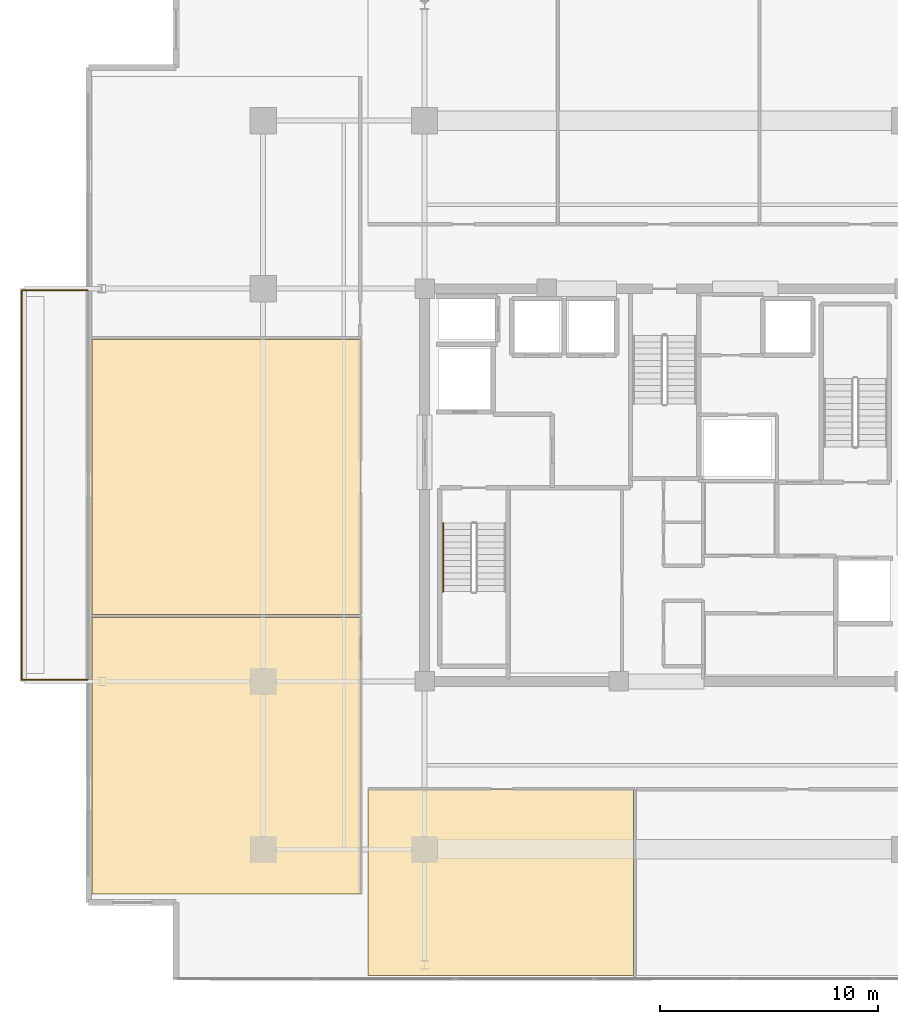
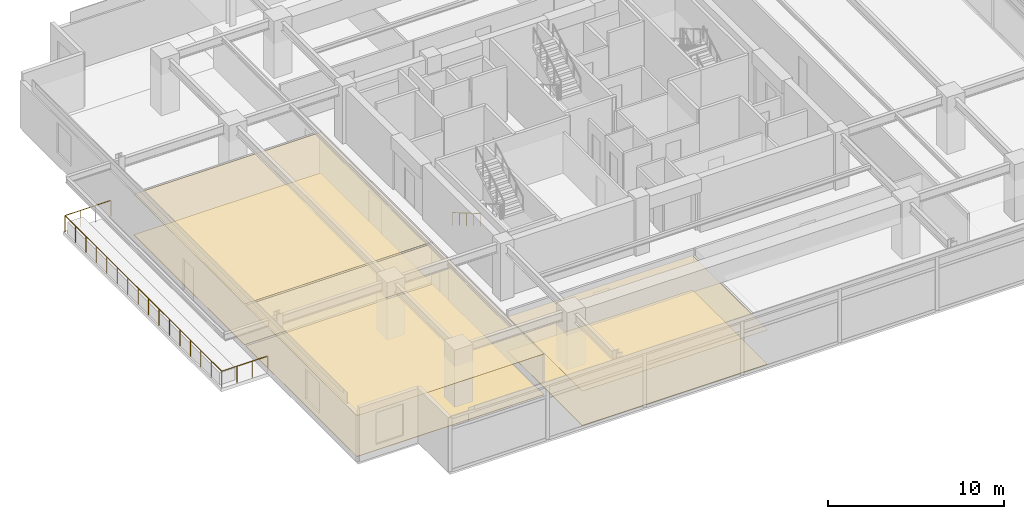
# One storey, part 16 of 18: 6 coverings, 2 railings.
"""IFC4 building model written with IfcOpenShell, lengths in metres."""

from ifc_helpers import new_model, si_unit, direction, frame, origin, origin_2d, place, context, subcontext, project, spatial, polyline, circle, outline, extrude, material, layer, layer_set, type_object, element, save


model = new_model("IFC4")

# Units and contexts
model_context = context("Model", 3, precision=1e-05, world=origin(), true_north=direction((0.0, 1.0)))
body_context = subcontext(model_context, "Body", "Model", "MODEL_VIEW")
ifc_project = project(units=[si_unit("LENGTHUNIT", "METRE"), si_unit("AREAUNIT", "SQUARE_METRE"), si_unit("VOLUMEUNIT", "CUBIC_METRE"), si_unit("PLANEANGLEUNIT", "RADIAN"), si_unit("MASSUNIT", "GRAM", prefix="KILO")], contexts=[model_context])

# Site, building, storey
site_placement = place(None, origin())
site = spatial("IfcSite", under=ifc_project, at=site_placement, CompositionType="ELEMENT")
building_placement = place(site_placement, origin())
building = spatial("IfcBuilding", under=site, at=building_placement, Name="Kovane Verandah Tower", CompositionType="ELEMENT")
storey_placement = place(building_placement, frame((0.0, 0.0, 251.199951171875)))
storey = spatial("IfcBuildingStorey", under=building, at=storey_placement, Name="L58", CompositionType="ELEMENT", Elevation=251.199951171875)

# Coverings
ifc_material_1 = material(Name="Perforated Acoustic Mineral-Fibre Ceiling Tile", Category="gypsum")
ifc_layer_1 = layer(ifc_material_1, 0.02490234375)
ifc_layer_set_1 = layer_set([ifc_layer_1], Name="Perforated Acoustic Mineral-Fibre Ceiling Tile")
covering_type_1 = type_object("IfcCoveringType", Name="CV-CEIL-25", PredefinedType="CEILING", material=ifc_layer_set_1)
covering_1_placement = place(storey_placement, frame((0.0, 0.0, 2.39013671875)))
element("IfcCovering", 1, at=covering_1_placement, inside=storey, type_object=covering_type_1, Name="L58 Document and Print Room S1 Acoustic Ceiling", PredefinedType="CEILING", context=body_context, shape_type="SweptSolid", body=[
    extrude(outline(polyline([(26.39990234375, 5.012451171875), (38.570068359375, 5.012451171875), (38.570068359375, 13.550048828125), (26.39990234375, 13.550048828125), (26.39990234375, 5.012451171875)])), origin(), (0.0, 0.0, 1.0), 0.02490234375),
])
covering_2_placement = place(storey_placement, frame((0.0, 0.0, 2.824951171875)))
element("IfcCovering", 2, at=covering_2_placement, inside=storey, type_object=covering_type_1, Name="L58 Executive Office W1 Acoustic Ceiling", PredefinedType="CEILING", context=body_context, shape_type="SweptSolid", body=[
    extrude(outline(polyline([(13.753662109375, 8.762451171875), (26.050048828125, 8.762451171875), (26.050048828125, 21.43408203125), (13.753662109375, 21.43408203125), (13.753662109375, 8.762451171875)])), origin(), (0.0, 0.0, 1.0), 0.025146484375),
])
covering_3_placement = place(storey_placement, frame((0.0, 0.0, 2.824951171875)))
element("IfcCovering", 3, at=covering_3_placement, inside=storey, type_object=covering_type_1, Name="L58 Client Boardroom W2 Acoustic Ceiling", PredefinedType="CEILING", context=body_context, shape_type="SweptSolid", body=[
    extrude(outline(polyline([(13.753662109375, 21.573974609375), (26.050048828125, 21.573974609375), (26.050048828125, 34.175537109375), (13.753662109375, 34.175537109375), (13.753662109375, 21.573974609375)])), origin(), (0.0, 0.0, 1.0), 0.025146484375),
])
ifc_material_2 = material(Name="Polished Terrazzo and Raised-Access Carpet Tile Finish", Category="concrete")
ifc_layer_2 = layer(ifc_material_2, 0.030029296875)
ifc_layer_set_2 = layer_set([ifc_layer_2], Name="Polished Terrazzo and Raised-Access Carpet Tile Finish")
covering_type_2 = type_object("IfcCoveringType", Name="CV-FLOR-30", PredefinedType="FLOORING", material=ifc_layer_set_2)
covering_4_placement = place(storey_placement, origin())
element("IfcCovering", 4, at=covering_4_placement, inside=storey, type_object=covering_type_2, Name="L58 Document and Print Room S1 Floor Finish", PredefinedType="FLOORING", context=body_context, shape_type="SweptSolid", body=[
    extrude(outline(polyline([(26.39990234375, 5.012451171875), (38.570068359375, 5.012451171875), (38.570068359375, 13.550048828125), (26.39990234375, 13.550048828125), (26.39990234375, 5.012451171875)])), origin(), (0.0, 0.0, 1.0), 0.030029296875),
])
covering_5_placement = place(storey_placement, origin())
element("IfcCovering", 5, at=covering_5_placement, inside=storey, type_object=covering_type_2, Name="L58 Executive Office W1 Floor Finish", PredefinedType="FLOORING", context=body_context, shape_type="SweptSolid", body=[
    extrude(outline(polyline([(13.753662109375, 8.762451171875), (26.050048828125, 8.762451171875), (26.050048828125, 21.43408203125), (13.753662109375, 21.43408203125), (13.753662109375, 8.762451171875)])), origin(), (0.0, 0.0, 1.0), 0.030029296875),
])
covering_6_placement = place(storey_placement, origin())
element("IfcCovering", 6, at=covering_6_placement, inside=storey, type_object=covering_type_2, Name="L58 Client Boardroom W2 Floor Finish", PredefinedType="FLOORING", context=body_context, shape_type="SweptSolid", body=[
    extrude(outline(polyline([(13.753662109375, 21.573974609375), (26.050048828125, 21.573974609375), (26.050048828125, 34.175537109375), (13.753662109375, 34.175537109375), (13.753662109375, 21.573974609375)])), origin(), (0.0, 0.0, 1.0), 0.030029296875),
])

# Railings
ifc_material_3 = material(Name="Laminated Glass and Pale-Champagne Stainless Balustrade", Category="glass")
railing_type_1 = type_object("IfcRailingType", Name="RL-BAL-1150", PredefinedType="BALUSTRADE", material=ifc_material_3)
railing_1_placement = place(storey_placement, frame((13.5537109375, 18.580078125, 0.0)))
element("IfcRailing", 7, at=railing_1_placement, inside=storey, type_object=railing_type_1, Name="L58 W Verandah Glass Balustrade", PredefinedType="BALUSTRADE", context=body_context, shape_type="SweptSolid", body=[
    extrude(circle(Radius=0.02392578125, at=origin_2d()), frame((0.0, 0.0, 1.1259765625), z_axis=(-1.0, 0.0, 0.0), x_axis=(0.0, -1.0, 0.0)), (0.0, 0.0, 1.0), 3.02001953125),
    extrude(circle(Radius=0.02392578125, at=origin_2d()), frame((-3.02001953125, 0.0, 1.1259765625), z_axis=(0.0, 1.0, 0.0), x_axis=(-1.0, 0.0, 0.0)), (0.0, 0.0, 1.0), 17.83984375),
    extrude(circle(Radius=0.02392578125, at=origin_2d()), frame((-3.02001953125, 17.83984375, 1.1259765625), z_axis=(1.0, 0.0, 0.0), x_axis=(0.0, 1.0, 0.0)), (0.0, 0.0, 1.0), 3.02001953125),
    extrude(circle(Radius=0.02099609375, at=origin_2d()), origin(), (0.0, 0.0, 1.0), 1.101806640625),
    extrude(circle(Radius=0.02099609375, at=origin_2d()), frame((-1.006591796875, 0.0, 0.0)), (0.0, 0.0, 1.0), 1.101806640625),
    extrude(circle(Radius=0.02099609375, at=origin_2d()), frame((-2.013427734375, 0.0, 0.0)), (0.0, 0.0, 1.0), 1.101806640625),
    extrude(circle(Radius=0.02099609375, at=origin_2d()), frame((-3.02001953125, 0.0, 0.0)), (0.0, 0.0, 1.0), 1.101806640625),
    extrude(circle(Radius=0.02099609375, at=origin_2d()), frame((-3.02001953125, 1.189208984375, 0.0)), (0.0, 0.0, 1.0), 1.101806640625),
    extrude(circle(Radius=0.02099609375, at=origin_2d()), frame((-3.02001953125, 2.378662109375, 0.0)), (0.0, 0.0, 1.0), 1.101806640625),
    extrude(circle(Radius=0.02099609375, at=origin_2d()), frame((-3.02001953125, 3.56787109375, 0.0)), (0.0, 0.0, 1.0), 1.101806640625),
    extrude(circle(Radius=0.02099609375, at=origin_2d()), frame((-3.02001953125, 4.75732421875, 0.0)), (0.0, 0.0, 1.0), 1.101806640625),
    extrude(circle(Radius=0.02099609375, at=origin_2d()), frame((-3.02001953125, 5.946533203125, 0.0)), (0.0, 0.0, 1.0), 1.101806640625),
    extrude(circle(Radius=0.02099609375, at=origin_2d()), frame((-3.02001953125, 7.135986328125, 0.0)), (0.0, 0.0, 1.0), 1.101806640625),
    extrude(circle(Radius=0.02099609375, at=origin_2d()), frame((-3.02001953125, 8.3251953125, 0.0)), (0.0, 0.0, 1.0), 1.101806640625),
    extrude(circle(Radius=0.02099609375, at=origin_2d()), frame((-3.02001953125, 9.5146484375, 0.0)), (0.0, 0.0, 1.0), 1.101806640625),
    extrude(circle(Radius=0.02099609375, at=origin_2d()), frame((-3.02001953125, 10.703857421875, 0.0)), (0.0, 0.0, 1.0), 1.101806640625),
    extrude(circle(Radius=0.02099609375, at=origin_2d()), frame((-3.02001953125, 11.893310546875, 0.0)), (0.0, 0.0, 1.0), 1.101806640625),
    extrude(circle(Radius=0.02099609375, at=origin_2d()), frame((-3.02001953125, 13.08251953125, 0.0)), (0.0, 0.0, 1.0), 1.101806640625),
    extrude(circle(Radius=0.02099609375, at=origin_2d()), frame((-3.02001953125, 14.27197265625, 0.0)), (0.0, 0.0, 1.0), 1.101806640625),
    extrude(circle(Radius=0.02099609375, at=origin_2d()), frame((-3.02001953125, 15.461181640625, 0.0)), (0.0, 0.0, 1.0), 1.101806640625),
    extrude(circle(Radius=0.02099609375, at=origin_2d()), frame((-3.02001953125, 16.650634765625, 0.0)), (0.0, 0.0, 1.0), 1.101806640625),
    extrude(circle(Radius=0.02099609375, at=origin_2d()), frame((-3.02001953125, 17.83984375, 0.0)), (0.0, 0.0, 1.0), 1.101806640625),
    extrude(circle(Radius=0.02099609375, at=origin_2d()), frame((-2.013427734375, 17.83984375, 0.0)), (0.0, 0.0, 1.0), 1.101806640625),
    extrude(circle(Radius=0.02099609375, at=origin_2d()), frame((-1.006591796875, 17.83984375, 0.0)), (0.0, 0.0, 1.0), 1.101806640625),
    extrude(circle(Radius=0.02099609375, at=origin_2d()), frame((0.0, 17.83984375, 0.0)), (0.0, 0.0, 1.0), 1.101806640625),
])
ifc_material_4 = material(Name="Brushed Stainless Steel Handrail", Category="steel")
railing_type_2 = type_object("IfcRailingType", Name="RL-HAND-920", PredefinedType="HANDRAIL", material=ifc_material_4)
railing_2_placement = place(storey_placement, frame((29.85009765625, 25.75, 0.166748046875)))
element("IfcRailing", 8, at=railing_2_placement, inside=storey, type_object=railing_type_2, Name="L58 ST-01 stair handrail 1", PredefinedType="HANDRAIL", context=body_context, shape_type="SweptSolid", body=[
    extrude(circle(Radius=0.02392578125, at=origin_2d()), frame((0.0, 0.0, 0.8759765625), z_axis=(0.0, -0.863239559939, 0.504794475164), x_axis=(1.0, 0.0, 0.0)), (0.0, 0.0, 1.0), 3.631591796875),
    extrude(circle(Radius=0.02099609375, at=origin_2d()), origin(), (0.0, 0.0, 1.0), 0.851806640625),
    extrude(circle(Radius=0.02099609375, at=origin_2d()), frame((0.0, -0.78369140625, 0.458251953125)), (0.0, 0.0, 1.0), 0.851806640625),
    extrude(circle(Radius=0.02099609375, at=origin_2d()), frame((0.0, -1.5673828125, 0.91650390625)), (0.0, 0.0, 1.0), 0.851806640625),
    extrude(circle(Radius=0.02099609375, at=origin_2d()), frame((0.0, -2.351318359375, 1.375)), (0.0, 0.0, 1.0), 0.851806640625),
    extrude(circle(Radius=0.02099609375, at=origin_2d()), frame((0.0, -3.135009765625, 1.833251953125)), (0.0, 0.0, 1.0), 0.851806640625),
])

save(model, "model.ifc")
